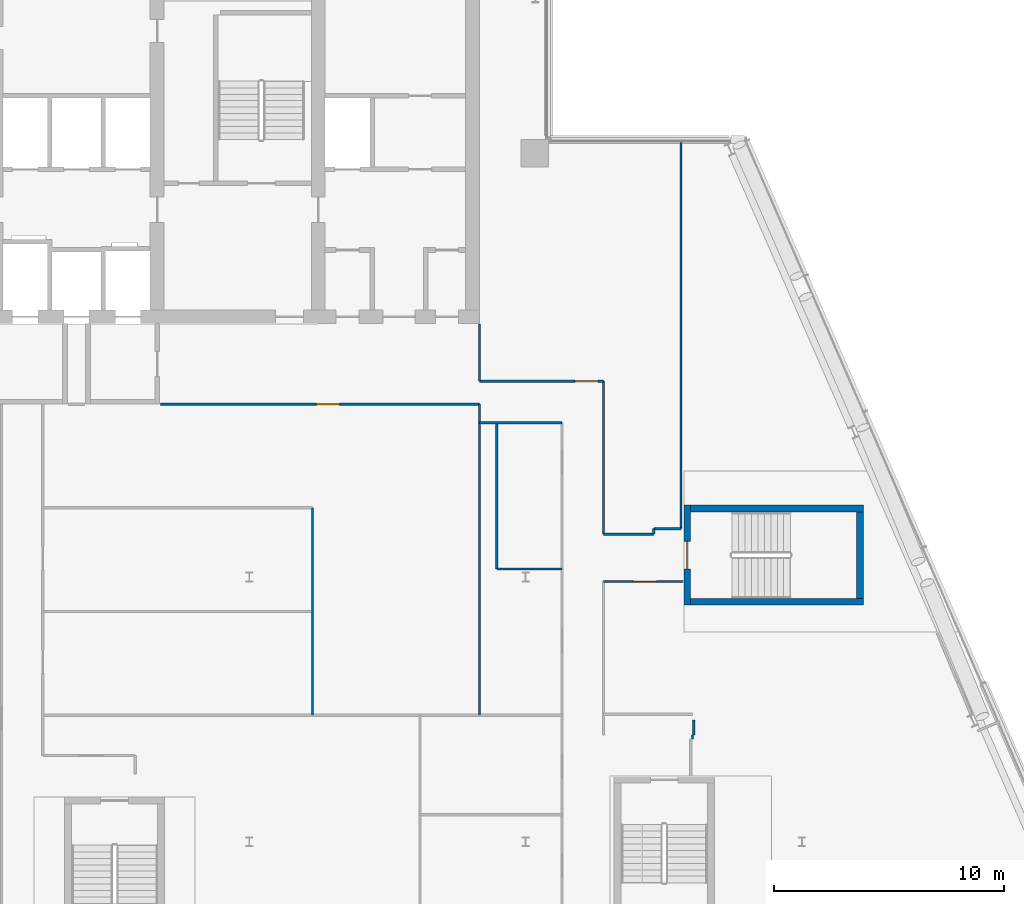
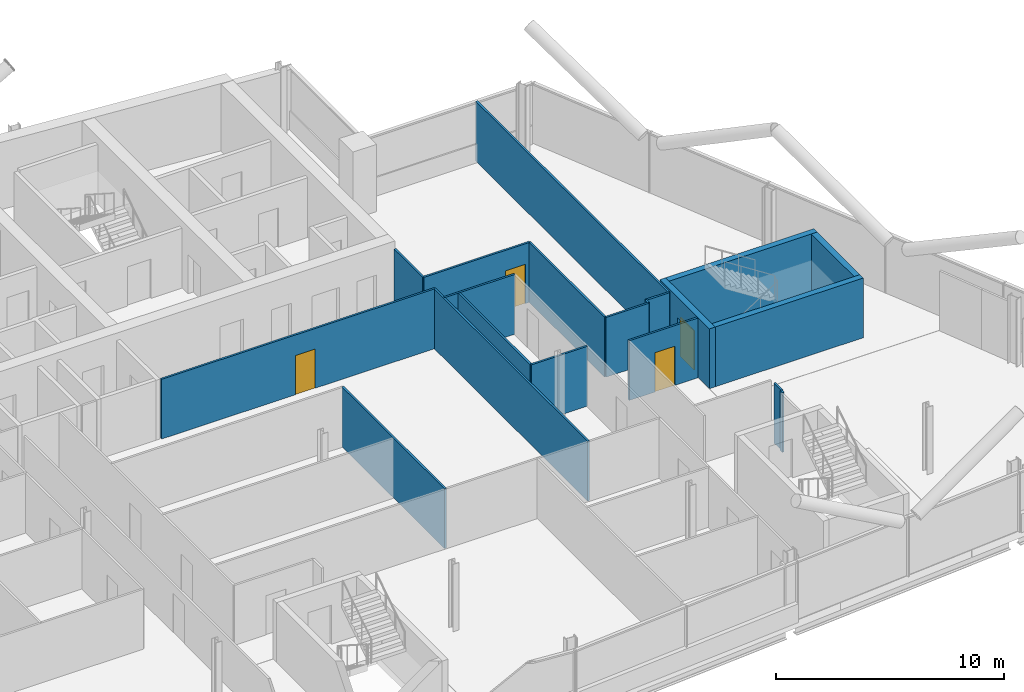
# One storey, part 17 of 27: 20 walls, 4 doors, 4 openings.
"""IFC4 building model written with IfcOpenShell, lengths in metres."""

from ifc_helpers import new_model, si_unit, direction, frame, frame_2d, origin, place, context, subcontext, project, spatial, rectangle, extrude, material, layer, layer_set, type_object, element, fill, save


model = new_model("IFC4")

# Units and contexts
model_context = context("Model", 3, precision=1e-05, world=origin(), true_north=direction((0.0, 1.0)))
body_context = subcontext(model_context, "Body", "Model", "MODEL_VIEW")
ifc_project = project(units=[si_unit("LENGTHUNIT", "METRE"), si_unit("AREAUNIT", "SQUARE_METRE"), si_unit("VOLUMEUNIT", "CUBIC_METRE"), si_unit("PLANEANGLEUNIT", "RADIAN"), si_unit("MASSUNIT", "GRAM", prefix="KILO")], contexts=[model_context])

# Site, building, storey
site_placement = place(None, origin())
site = spatial("IfcSite", under=ifc_project, at=site_placement, CompositionType="ELEMENT")
building_placement = place(site_placement, origin())
building = spatial("IfcBuilding", under=site, at=building_placement, Name="Wharfspan Tower", CompositionType="ELEMENT")
storey_placement = place(building_placement, frame((0.0, 0.0, 221.5)))
storey = spatial("IfcBuildingStorey", under=building, at=storey_placement, Name="L55", CompositionType="ELEMENT", Elevation=221.5)

# Walls
ifc_material_1 = material(Name="Gypsum board on steel studs", Category="steel")
ifc_layer_1 = layer(ifc_material_1, 0.100098)
ifc_layer_set_1 = layer_set([ifc_layer_1], Name="Gypsum board on steel studs")
wall_type_1 = type_object("IfcWallType", Name="Compartment wall 100 EI 60", PredefinedType="PARTITIONING", material=ifc_layer_set_1)
wall_1_placement = place(storey_placement, frame((58.0, 17.0, 0.0), z_axis=(0.0, 0.0, 1.0), x_axis=(0.0, 1.0, 0.0)))
element("IfcWall", 1, at=wall_1_placement, inside=storey, type_object=wall_type_1, Name="Partition L55.w033", PredefinedType="PARTITIONING", context=body_context, shape_type="SweptSolid", body=[
    extrude(rectangle(XDim=13.5, YDim=0.100098, at=frame_2d((6.75, 0.0))), origin(), (0.0, 0.0, 1.0), 3.199951),
])
wall_2_placement = place(storey_placement, frame((58.0, 29.699951, 0.0), z_axis=(0.0, 0.0, 1.0), x_axis=(1.0, 0.0, 0.0)))
element("IfcWall", 2, at=wall_2_placement, inside=storey, type_object=wall_type_1, Name="Partition L55.w034", PredefinedType="PARTITIONING", context=body_context, shape_type="SweptSolid", body=[
    extrude(rectangle(XDim=3.580078, YDim=0.100098, at=frame_2d((1.790039, 0.0))), origin(), (0.0, 0.0, 1.0), 3.199951),
])
wall_3_placement = place(storey_placement, frame((58.0, 31.5, 0.0), z_axis=(0.0, 0.0, 1.0), x_axis=(0.0, 1.0, 0.0)))
element("IfcWall", 3, at=wall_3_placement, inside=storey, type_object=wall_type_1, Name="Partition L55.w035", PredefinedType="PARTITIONING", context=body_context, shape_type="SweptSolid", body=[
    extrude(rectangle(XDim=2.47998, YDim=0.100098, at=frame_2d((1.23999, 0.0))), origin(), (0.0, 0.0, 1.0), 3.199951),
])

# Wall, opening, door
wall_4_placement = place(storey_placement, frame((58.0, 31.5, 0.0), z_axis=(0.0, 0.0, 1.0), x_axis=(1.0, 0.0, 0.0)))
wall_4 = element("IfcWall", 4, at=wall_4_placement, inside=storey, type_object=wall_type_1, Name="Partition L55.w036", PredefinedType="PARTITIONING", context=body_context, shape_type="SweptSolid", body=[
    extrude(rectangle(XDim=5.379883, YDim=0.100098, at=frame_2d((2.689941, 0.0))), origin(), (0.0, 0.0, 1.0), 3.199951),
])
opening_1_placement = place(wall_4_placement, frame((4.13501, 0.0, 0.0)))
opening_1 = element("IfcOpeningElement", 5, at=opening_1_placement, cuts=wall_4, Name="Opening D3-17", PredefinedType="OPENING", context=body_context, shape_type="SweptSolid", body=[
    extrude(rectangle(XDim=1.0, YDim=2.100098, at=frame_2d((0.5, 1.050049))), frame((0.0, 0.060059, 0.0), z_axis=(0.0, -1.0, 0.0), x_axis=(1.0, 0.0, 0.0)), (0.0, 0.0, 1.0), 0.120117),
])
ifc_material_2 = material(Name="Fire-rated timber door leaf in steel frame", Category="steel")
door_type_1 = type_object("IfcDoorType", Name="Door 1000 FD30S Right", OperationType="SINGLE_SWING_RIGHT", PredefinedType="DOOR", material=ifc_material_2)
door_1_placement = place(opening_1_placement, origin())
door_1 = element("IfcDoor", 6, at=door_1_placement, inside=storey, type_object=door_type_1, Name="Door D3-17", OperationType="SINGLE_SWING_RIGHT", OverallHeight=2.100098, OverallWidth=1.0, PredefinedType="DOOR", context=body_context, shape_type="SweptSolid", body=[
    extrude(rectangle(XDim=1.0, YDim=2.100098, at=frame_2d((0.5, 1.050049))), frame((0.0, 0.024902, 0.0), z_axis=(0.0, -1.0, 0.0), x_axis=(1.0, 0.0, 0.0)), (0.0, 0.0, 1.0), 0.050049),
])
fill(opening_1, door_1)

# Walls
wall_5_placement = place(storey_placement, frame((58.75, 23.350098, 0.0), z_axis=(0.0, 0.0, 1.0), x_axis=(0.0, 1.0, 0.0)))
element("IfcWall", 7, at=wall_5_placement, inside=storey, type_object=wall_type_1, Name="Partition L55.w037", PredefinedType="PARTITIONING", context=body_context, shape_type="SweptSolid", body=[
    extrude(rectangle(XDim=6.349854, YDim=0.100098, at=frame_2d((3.174805, 0.0))), origin(), (0.0, 0.0, 1.0), 3.199951),
])
wall_6_placement = place(storey_placement, frame((58.75, 23.350098, 0.0), z_axis=(0.0, 0.0, 1.0), x_axis=(1.0, 0.0, 0.0)))
element("IfcWall", 8, at=wall_6_placement, inside=storey, type_object=wall_type_1, Name="Partition L55.w038", PredefinedType="PARTITIONING", context=body_context, shape_type="SweptSolid", body=[
    extrude(rectangle(XDim=2.830078, YDim=0.100098, at=frame_2d((1.415039, 0.0))), origin(), (0.0, 0.0, 1.0), 3.199951),
])

# Wall, opening, door
wall_7_placement = place(storey_placement, frame((63.379883, 22.800049, 0.0), z_axis=(0.0, 0.0, 1.0), x_axis=(1.0, 0.0, 0.0)))
wall_7 = element("IfcWall", 9, at=wall_7_placement, inside=storey, type_object=wall_type_1, Name="Partition L55.w042", PredefinedType="PARTITIONING", context=body_context, shape_type="SweptSolid", body=[
    extrude(rectangle(XDim=3.469727, YDim=0.100098, at=frame_2d((1.734863, 0.0))), origin(), (0.0, 0.0, 1.0), 3.199951),
])
opening_2_placement = place(wall_7_placement, frame((1.300049, 0.0, 0.0)))
opening_2 = element("IfcOpeningElement", 10, at=opening_2_placement, cuts=wall_7, Name="Opening D3-09", PredefinedType="OPENING", context=body_context, shape_type="SweptSolid", body=[
    extrude(rectangle(XDim=1.0, YDim=2.100098, at=frame_2d((0.5, 1.050049))), frame((0.0, 0.060059, 0.0), z_axis=(0.0, -1.0, 0.0), x_axis=(1.0, 0.0, 0.0)), (0.0, 0.0, 1.0), 0.120117),
])
door_2_placement = place(opening_2_placement, origin())
door_2 = element("IfcDoor", 11, at=door_2_placement, inside=storey, type_object=door_type_1, Name="Door D3-09", OperationType="SINGLE_SWING_RIGHT", OverallHeight=2.100098, OverallWidth=1.0, PredefinedType="DOOR", context=body_context, shape_type="SweptSolid", body=[
    extrude(rectangle(XDim=1.0, YDim=2.100098, at=frame_2d((0.5, 1.050049))), frame((0.0, 0.024902, 0.0), z_axis=(0.0, -1.0, 0.0), x_axis=(1.0, 0.0, 0.0)), (0.0, 0.0, 1.0), 0.050049),
])
fill(opening_2, door_2)

# Walls
wall_8_placement = place(storey_placement, frame((63.379883, 24.85498, 0.0), z_axis=(0.0, 0.0, 1.0), x_axis=(0.0, 1.0, 0.0)))
element("IfcWall", 12, at=wall_8_placement, inside=storey, type_object=wall_type_1, Name="Partition L55.w043", PredefinedType="PARTITIONING", context=body_context, shape_type="SweptSolid", body=[
    extrude(rectangle(XDim=6.64502, YDim=0.100098, at=frame_2d((3.32251, 0.0))), origin(), (0.0, 0.0, 1.0), 3.199951),
])
wall_9_placement = place(storey_placement, frame((63.38501, 24.850098, 0.0), z_axis=(0.0, 0.0, 1.0), x_axis=(1.0, 0.0, 0.0)))
element("IfcWall", 13, at=wall_9_placement, inside=storey, type_object=wall_type_1, Name="Partition L55.w045", PredefinedType="PARTITIONING", context=body_context, shape_type="SweptSolid", body=[
    extrude(rectangle(XDim=2.179932, YDim=0.100098, at=frame_2d((1.089844, 0.0))), origin(), (0.0, 0.0, 1.0), 3.199951),
])
wall_10_placement = place(storey_placement, frame((65.570068, 24.85498, 0.0), z_axis=(0.0, 0.0, 1.0), x_axis=(0.0, 1.0, 0.0)))
element("IfcWall", 14, at=wall_10_placement, inside=storey, type_object=wall_type_1, Name="Partition L55.w047", PredefinedType="PARTITIONING", context=body_context, shape_type="SweptSolid", body=[
    extrude(rectangle(XDim=0.23999, YDim=0.100098, at=frame_2d((0.120117, 0.0))), origin(), (0.0, 0.0, 1.0), 3.199951),
])
wall_11_placement = place(storey_placement, frame((65.570068, 25.100098, 0.0), z_axis=(0.0, 0.0, 1.0), x_axis=(1.0, 0.0, 0.0)))
element("IfcWall", 15, at=wall_11_placement, inside=storey, type_object=wall_type_1, Name="Partition L55.w048", PredefinedType="PARTITIONING", context=body_context, shape_type="SweptSolid", body=[
    extrude(rectangle(XDim=1.179932, YDim=0.100098, at=frame_2d((0.589844, 0.0))), origin(), (0.0, 0.0, 1.0), 3.199951),
])
wall_12_placement = place(storey_placement, frame((66.75, 25.100098, 0.0), z_axis=(0.0, 0.0, 1.0), x_axis=(0.0, 1.0, 0.0)))
element("IfcWall", 16, at=wall_12_placement, inside=storey, type_object=wall_type_1, Name="Partition L55.w049", PredefinedType="PARTITIONING", context=body_context, shape_type="SweptSolid", body=[
    extrude(rectangle(XDim=16.879883, YDim=0.100098, at=frame_2d((8.439941, 0.0))), origin(), (0.0, 0.0, 1.0), 3.199951),
])
wall_13_placement = place(storey_placement, frame((67.25, 15.955078, 0.0), z_axis=(0.0, 0.0, 1.0), x_axis=(0.0, 1.0, 0.0)))
element("IfcWall", 17, at=wall_13_placement, inside=storey, type_object=wall_type_1, Name="Partition L55.w051", PredefinedType="PARTITIONING", context=body_context, shape_type="SweptSolid", body=[
    extrude(rectangle(XDim=0.189941, YDim=0.100098, at=frame_2d((0.094971, 0.0))), origin(), (0.0, 0.0, 1.0), 3.199951),
])
wall_14_placement = place(storey_placement, frame((67.300049, 16.14502, 0.0), z_axis=(0.0, 0.0, 1.0), x_axis=(0.0, 1.0, 0.0)))
element("IfcWall", 18, at=wall_14_placement, inside=storey, type_object=wall_type_1, Name="Partition L55.w052", PredefinedType="PARTITIONING", context=body_context, shape_type="SweptSolid", body=[
    extrude(rectangle(XDim=0.639893, YDim=0.100098, at=frame_2d((0.319824, 0.0))), origin(), (0.0, 0.0, 1.0), 3.199951),
])

# Wall, opening, door
wall_15_placement = place(storey_placement, frame((44.149902, 30.5, 0.0), z_axis=(0.0, 0.0, 1.0), x_axis=(1.0, 0.0, 0.0)))
wall_15 = element("IfcWall", 19, at=wall_15_placement, inside=storey, type_object=wall_type_1, Name="Partition L55.w025 (2)", PredefinedType="PARTITIONING", context=body_context, shape_type="SweptSolid", body=[
    extrude(rectangle(XDim=13.850098, YDim=0.100098, at=frame_2d((6.925049, 0.0))), origin(), (0.0, 0.0, 1.0), 3.199951),
])
opening_3_placement = place(wall_15_placement, frame((6.77002, 0.0, 0.0)))
opening_3 = element("IfcOpeningElement", 20, at=opening_3_placement, cuts=wall_15, Name="Opening D3-16", PredefinedType="OPENING", context=body_context, shape_type="SweptSolid", body=[
    extrude(rectangle(XDim=1.0, YDim=2.100098, at=frame_2d((0.5, 1.050049))), frame((0.0, 0.060059, 0.0), z_axis=(0.0, -1.0, 0.0), x_axis=(1.0, 0.0, 0.0)), (0.0, 0.0, 1.0), 0.120117),
])
door_3_placement = place(opening_3_placement, origin())
door_3 = element("IfcDoor", 21, at=door_3_placement, inside=storey, type_object=door_type_1, Name="Door D3-16", OperationType="SINGLE_SWING_RIGHT", OverallHeight=2.100098, OverallWidth=1.0, PredefinedType="DOOR", context=body_context, shape_type="SweptSolid", body=[
    extrude(rectangle(XDim=1.0, YDim=2.100098, at=frame_2d((0.5, 1.050049))), frame((0.0, 0.024902, 0.0), z_axis=(0.0, -1.0, 0.0), x_axis=(1.0, 0.0, 0.0)), (0.0, 0.0, 1.0), 0.050049),
])
fill(opening_3, door_3)

# Wall
ifc_layer_2 = layer(ifc_material_1, 0.100098)
ifc_layer_set_2 = layer_set([ifc_layer_2], Name="Gypsum board on steel studs")
wall_type_2 = type_object("IfcWallType", Name="Partition 100", PredefinedType="PARTITIONING", material=ifc_layer_set_2)
wall_16_placement = place(storey_placement, frame((50.75, 17.0, 0.0), z_axis=(0.0, 0.0, 1.0), x_axis=(0.0, 1.0, 0.0)))
element("IfcWall", 22, at=wall_16_placement, inside=storey, type_object=wall_type_2, Name="Partition L55.w027", PredefinedType="PARTITIONING", context=body_context, shape_type="SweptSolid", body=[
    extrude(rectangle(XDim=9.0, YDim=0.100098, at=frame_2d((4.5, 0.0))), origin(), (0.0, 0.0, 1.0), 3.199951),
])

# Wall, opening, door
ifc_material_3 = material(Name="Concrete C40/50", Category="concrete")
ifc_layer_3 = layer(ifc_material_3, 0.300049)
ifc_layer_set_3 = layer_set([ifc_layer_3], Name="Concrete C40/50")
wall_type_3 = type_object("IfcWallType", Name="Stair core wall 300", PredefinedType="SHEAR", material=ifc_layer_set_3)
wall_17_placement = place(storey_placement, frame((67.019531, 21.774902, 0.0), z_axis=(0.0, 0.0, 1.0), x_axis=(0.0, 1.0, 0.0)))
wall_17 = element("IfcWall", 23, at=wall_17_placement, inside=storey, type_object=wall_type_3, Name="ST6 stair enclosure wall L55", PredefinedType="SHEAR", context=body_context, shape_type="SweptSolid", body=[
    extrude(rectangle(XDim=4.350098, YDim=0.300049, at=frame_2d((2.175049, 0.0))), origin(), (0.0, 0.0, 1.0), 3.199951),
])
opening_4_placement = place(wall_17_placement, frame((1.574951, 0.0, 0.0)))
opening_4 = element("IfcOpeningElement", 24, at=opening_4_placement, cuts=wall_17, Name="Opening SD6.L55", PredefinedType="OPENING", context=body_context, shape_type="SweptSolid", body=[
    extrude(rectangle(XDim=1.199951, YDim=2.100098, at=frame_2d((0.600098, 1.050049))), frame((0.0, 0.159912, 0.0), z_axis=(0.0, -1.0, 0.0), x_axis=(1.0, 0.0, 0.0)), (0.0, 0.0, 1.0), 0.320068),
])
ifc_material_4 = material(Name="Steel door leaf", Category="steel")
door_type_2 = type_object("IfcDoorType", Name="Stair door 1200x2100", OperationType="SINGLE_SWING_LEFT", PredefinedType="DOOR", material=ifc_material_4)
door_4_placement = place(opening_4_placement, origin())
door_4 = element("IfcDoor", 25, at=door_4_placement, inside=storey, type_object=door_type_2, Name="sd:L55:ST6z4", OperationType="SINGLE_SWING_RIGHT", OverallHeight=2.100098, OverallWidth=1.199951, PredefinedType="DOOR", context=body_context, shape_type="SweptSolid", body=[
    extrude(rectangle(XDim=1.199951, YDim=2.100098, at=frame_2d((0.600098, 1.050049))), frame((0.0, 0.024902, 0.0), z_axis=(0.0, -1.0, 0.0), x_axis=(1.0, 0.0, 0.0)), (0.0, 0.0, 1.0), 0.050049),
])
fill(opening_4, door_4)

# Walls
for number, where, z_axis, x_axis, name in (
    (26, (67.169678, 21.925049, 0.0), (0.0, 0.0, 1.0), (1.0, 0.0, 0.0), "ST6 stair enclosure wall L55"),
    (27, (67.169678, 25.975098, 0.0), (0.0, 0.0, 1.0), (1.0, 0.0, 0.0), "ST6 stair enclosure wall L55"),
):
    element("IfcWall", number, at=place(storey_placement, frame(where, z_axis=z_axis, x_axis=x_axis)), inside=storey, type_object=wall_type_3, Name=name, PredefinedType="SHEAR", context=body_context, shape_type="SweptSolid", body=[
        extrude(rectangle(XDim=7.5, YDim=0.300049, at=frame_2d((3.75, 0.0))), origin(), (0.0, 0.0, 1.0), 3.199951),
    ])
wall_18_placement = place(storey_placement, frame((74.519531, 22.074951, 0.0), z_axis=(0.0, 0.0, 1.0), x_axis=(0.0, 1.0, 0.0)))
element("IfcWall", 28, at=wall_18_placement, inside=storey, type_object=wall_type_3, Name="ST6 stair enclosure wall L55", PredefinedType="SHEAR", context=body_context, shape_type="SweptSolid", body=[
    extrude(rectangle(XDim=3.75, YDim=0.300049, at=frame_2d((1.875, 0.0))), origin(), (0.0, 0.0, 1.0), 3.199951),
])

save(model, "model.ifc")
